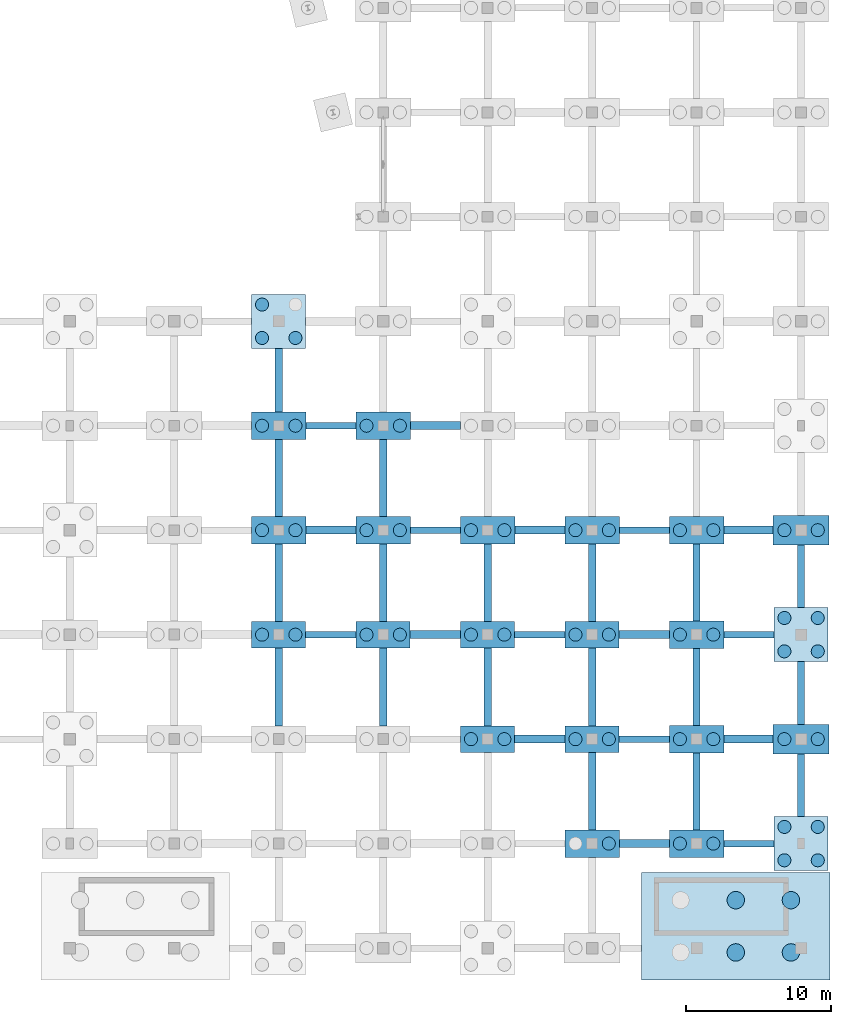
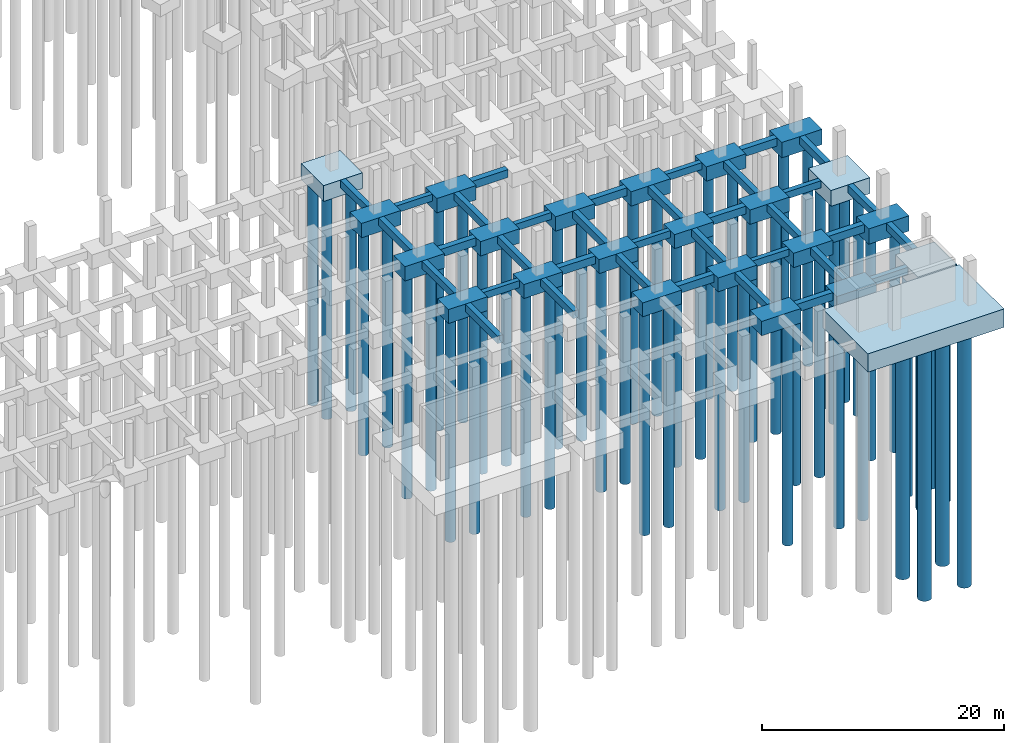
# One storey, part 11 of 36: 58 footings, 52 piles.
"""IFC4 building model written with IfcOpenShell, lengths in metres."""

from ifc_helpers import new_model, si_unit, direction, frame, origin, origin_2d, place, context, subcontext, project, spatial, rectangle, circle, extrude, material, material_profile, profile_set, type_object, element, save


model = new_model("IFC4")

# Units and contexts
model_context = context("Model", 3, precision=1e-05, world=origin(), true_north=direction((0.0, 1.0)))
body_context = subcontext(model_context, "Body", "Model", "MODEL_VIEW")
ifc_project = project(units=[si_unit("LENGTHUNIT", "METRE"), si_unit("AREAUNIT", "SQUARE_METRE"), si_unit("VOLUMEUNIT", "CUBIC_METRE"), si_unit("PLANEANGLEUNIT", "RADIAN"), si_unit("MASSUNIT", "GRAM", prefix="KILO")], contexts=[model_context])

# Site, building, storey
site_placement = place(None, origin())
site = spatial("IfcSite", under=ifc_project, at=site_placement, CompositionType="ELEMENT")
building_placement = place(site_placement, origin())
building = spatial("IfcBuilding", under=site, at=building_placement, Name="Kalmorath City Hall", CompositionType="ELEMENT")
storey_placement = place(building_placement, frame((0.0, 0.0, -4.5)))
storey = spatial("IfcBuildingStorey", under=building, at=storey_placement, Name="B1", CompositionType="ELEMENT", Elevation=-4.5)

# Piles
ifc_material_1 = material(Name="Concrete C40/50", Category="concrete")
ifc_material_profile_1 = material_profile(ifc_material_1, circle(Radius=0.60009765625, at=origin_2d()), Name="PILE-D1200")
ifc_profile_set_1 = profile_set([ifc_material_profile_1], Name="Concrete C40/50")
pile_type_1 = type_object("IfcPileType", Name="Bored concrete pile D1200", PredefinedType="BORED", material=ifc_profile_set_1)
for number, where, z_axis, x_axis, name in (
    (1, (161.10009765625, -0.300048828125, -1.75), (0.0, 0.0, -1.0), (1.0, 0.0, 0.0), "Core mat bored pile PL-1200 FTG-CMAT-C7.2"),
    (2, (164.89990234375, -0.300048828125, -1.75), (0.0, 0.0, -1.0), (1.0, 0.0, 0.0), "Core mat bored pile PL-1200 FTG-CMAT-C7.3"),
    (3, (161.10009765625, 3.300048828125, -1.75), (0.0, 0.0, -1.0), (1.0, 0.0, 0.0), "Core mat bored pile PL-1200 FTG-CMAT-C7.5"),
    (4, (164.89990234375, 3.300048828125, -1.75), (0.0, 0.0, -1.0), (1.0, 0.0, 0.0), "Core mat bored pile PL-1200 FTG-CMAT-C7.6"),
):
    element("IfcPile", number, at=place(storey_placement, frame(where, z_axis=z_axis, x_axis=x_axis)), inside=storey, type_object=pile_type_1, Name=name, PredefinedType="BORED", context=body_context, shape_type="SweptSolid", body=[
        extrude(circle(Radius=0.60009765625, at=origin_2d()), origin(), (0.0, 0.0, 1.0), 26.25),
    ])
ifc_material_2 = material(Name="Concrete C40/50", Category="concrete")
ifc_material_profile_2 = material_profile(ifc_material_2, circle(Radius=0.449951171875, at=origin_2d()), Name="PILE-D900")
ifc_profile_set_2 = profile_set([ifc_material_profile_2], Name="Concrete C40/50")
pile_type_2 = type_object("IfcPileType", Name="Bored concrete pile D900", PredefinedType="BORED", material=ifc_profile_set_2)
for number, where, z_axis, x_axis, name in (
    (5, (128.449951171875, 21.60009765625, -1.300048828125), (0.0, 0.0, -1.0), (1.0, 0.0, 0.0), "Bored pile PL-900 19.4.1"),
    (6, (130.75, 21.60009765625, -1.300048828125), (0.0, 0.0, -1.0), (1.0, 0.0, 0.0), "Bored pile PL-900 19.4.2"),
):
    element("IfcPile", number, at=place(storey_placement, frame(where, z_axis=z_axis, x_axis=x_axis)), inside=storey, type_object=pile_type_2, Name=name, PredefinedType="BORED", context=body_context, shape_type="SweptSolid", body=[
        extrude(circle(Radius=0.449951171875, at=origin_2d()), origin(), (0.0, 0.0, 1.0), 22.699951171875),
    ])
for number, where, z_axis, x_axis, name in (
    (7, (128.449951171875, 28.800048828125, -1.35009765625), (0.0, 0.0, -1.0), (1.0, 0.0, 0.0), "Bored pile PL-900 19.5.1"),
    (8, (130.75, 28.800048828125, -1.35009765625), (0.0, 0.0, -1.0), (1.0, 0.0, 0.0), "Bored pile PL-900 19.5.2"),
    (9, (128.449951171875, 36.0, -1.35009765625), (0.0, 0.0, -1.0), (1.0, 0.0, 0.0), "Bored pile PL-900 19.6.1"),
    (10, (130.75, 36.0, -1.35009765625), (0.0, 0.0, -1.0), (1.0, 0.0, 0.0), "Bored pile PL-900 19.6.2"),
):
    element("IfcPile", number, at=place(storey_placement, frame(where, z_axis=z_axis, x_axis=x_axis)), inside=storey, type_object=pile_type_2, Name=name, PredefinedType="BORED", context=body_context, shape_type="SweptSolid", body=[
        extrude(circle(Radius=0.449951171875, at=origin_2d()), origin(), (0.0, 0.0, 1.0), 22.64990234375),
    ])
for number, where, z_axis, x_axis, name in (
    (11, (128.449951171875, 42.050048828125, -1.5), (0.0, 0.0, -1.0), (1.0, 0.0, 0.0), "Bored pile PL-900 19.7.1"),
    (12, (130.75, 42.050048828125, -1.5), (0.0, 0.0, -1.0), (1.0, 0.0, 0.0), "Bored pile PL-900 19.7.2"),
    (13, (128.449951171875, 44.35009765625, -1.5), (0.0, 0.0, -1.0), (1.0, 0.0, 0.0), "Bored pile PL-900 19.7.3"),
):
    element("IfcPile", number, at=place(storey_placement, frame(where, z_axis=z_axis, x_axis=x_axis)), inside=storey, type_object=pile_type_2, Name=name, PredefinedType="BORED", context=body_context, shape_type="SweptSolid", body=[
        extrude(circle(Radius=0.449951171875, at=origin_2d()), origin(), (0.0, 0.0, 1.0), 22.5),
    ])
for number, where, z_axis, x_axis, name in (
    (14, (135.64990234375, 21.60009765625, -1.300048828125), (0.0, 0.0, -1.0), (1.0, 0.0, 0.0), "Bored pile PL-900 20.4.1"),
    (15, (137.949951171875, 21.60009765625, -1.300048828125), (0.0, 0.0, -1.0), (1.0, 0.0, 0.0), "Bored pile PL-900 20.4.2"),
):
    element("IfcPile", number, at=place(storey_placement, frame(where, z_axis=z_axis, x_axis=x_axis)), inside=storey, type_object=pile_type_2, Name=name, PredefinedType="BORED", context=body_context, shape_type="SweptSolid", body=[
        extrude(circle(Radius=0.449951171875, at=origin_2d()), origin(), (0.0, 0.0, 1.0), 22.699951171875),
    ])
for number, where, z_axis, x_axis, name in (
    (16, (135.64990234375, 28.800048828125, -1.35009765625), (0.0, 0.0, -1.0), (1.0, 0.0, 0.0), "Bored pile PL-900 20.5.1"),
    (17, (137.949951171875, 28.800048828125, -1.35009765625), (0.0, 0.0, -1.0), (1.0, 0.0, 0.0), "Bored pile PL-900 20.5.2"),
    (18, (135.64990234375, 36.0, -1.35009765625), (0.0, 0.0, -1.0), (1.0, 0.0, 0.0), "Bored pile PL-900 20.6.1"),
    (19, (137.949951171875, 36.0, -1.35009765625), (0.0, 0.0, -1.0), (1.0, 0.0, 0.0), "Bored pile PL-900 20.6.2"),
):
    element("IfcPile", number, at=place(storey_placement, frame(where, z_axis=z_axis, x_axis=x_axis)), inside=storey, type_object=pile_type_2, Name=name, PredefinedType="BORED", context=body_context, shape_type="SweptSolid", body=[
        extrude(circle(Radius=0.449951171875, at=origin_2d()), origin(), (0.0, 0.0, 1.0), 22.64990234375),
    ])
for number, where, z_axis, x_axis, name in (
    (20, (142.85009765625, 14.39990234375, -1.300048828125), (0.0, 0.0, -1.0), (1.0, 0.0, 0.0), "Bored pile PL-900 21.3.1"),
    (21, (145.14990234375, 14.39990234375, -1.300048828125), (0.0, 0.0, -1.0), (1.0, 0.0, 0.0), "Bored pile PL-900 21.3.2"),
    (22, (142.85009765625, 21.60009765625, -1.300048828125), (0.0, 0.0, -1.0), (1.0, 0.0, 0.0), "Bored pile PL-900 21.4.1"),
    (23, (145.14990234375, 21.60009765625, -1.300048828125), (0.0, 0.0, -1.0), (1.0, 0.0, 0.0), "Bored pile PL-900 21.4.2"),
):
    element("IfcPile", number, at=place(storey_placement, frame(where, z_axis=z_axis, x_axis=x_axis)), inside=storey, type_object=pile_type_2, Name=name, PredefinedType="BORED", context=body_context, shape_type="SweptSolid", body=[
        extrude(circle(Radius=0.449951171875, at=origin_2d()), origin(), (0.0, 0.0, 1.0), 22.699951171875),
    ])
for number, where, z_axis, x_axis, name in (
    (24, (142.85009765625, 28.800048828125, -1.35009765625), (0.0, 0.0, -1.0), (1.0, 0.0, 0.0), "Bored pile PL-900 21.5.1"),
    (25, (145.14990234375, 28.800048828125, -1.35009765625), (0.0, 0.0, -1.0), (1.0, 0.0, 0.0), "Bored pile PL-900 21.5.2"),
    (26, (152.35009765625, 7.199951171875, -1.35009765625), (0.0, 0.0, -1.0), (1.0, 0.0, 0.0), "Bored pile PL-900 22.2.2"),
):
    element("IfcPile", number, at=place(storey_placement, frame(where, z_axis=z_axis, x_axis=x_axis)), inside=storey, type_object=pile_type_2, Name=name, PredefinedType="BORED", context=body_context, shape_type="SweptSolid", body=[
        extrude(circle(Radius=0.449951171875, at=origin_2d()), origin(), (0.0, 0.0, 1.0), 22.64990234375),
    ])
for number, where, z_axis, x_axis, name in (
    (27, (150.050048828125, 14.39990234375, -1.300048828125), (0.0, 0.0, -1.0), (1.0, 0.0, 0.0), "Bored pile PL-900 22.3.1"),
    (28, (152.35009765625, 14.39990234375, -1.300048828125), (0.0, 0.0, -1.0), (1.0, 0.0, 0.0), "Bored pile PL-900 22.3.2"),
    (29, (150.050048828125, 21.60009765625, -1.300048828125), (0.0, 0.0, -1.0), (1.0, 0.0, 0.0), "Bored pile PL-900 22.4.1"),
    (30, (152.35009765625, 21.60009765625, -1.300048828125), (0.0, 0.0, -1.0), (1.0, 0.0, 0.0), "Bored pile PL-900 22.4.2"),
):
    element("IfcPile", number, at=place(storey_placement, frame(where, z_axis=z_axis, x_axis=x_axis)), inside=storey, type_object=pile_type_2, Name=name, PredefinedType="BORED", context=body_context, shape_type="SweptSolid", body=[
        extrude(circle(Radius=0.449951171875, at=origin_2d()), origin(), (0.0, 0.0, 1.0), 22.699951171875),
    ])
for number, where, z_axis, x_axis, name in (
    (31, (150.050048828125, 28.800048828125, -1.35009765625), (0.0, 0.0, -1.0), (1.0, 0.0, 0.0), "Bored pile PL-900 22.5.1"),
    (32, (152.35009765625, 28.800048828125, -1.35009765625), (0.0, 0.0, -1.0), (1.0, 0.0, 0.0), "Bored pile PL-900 22.5.2"),
    (33, (157.25, 7.199951171875, -1.35009765625), (0.0, 0.0, -1.0), (1.0, 0.0, 0.0), "Bored pile PL-900 23.2.1"),
    (34, (159.550048828125, 7.199951171875, -1.35009765625), (0.0, 0.0, -1.0), (1.0, 0.0, 0.0), "Bored pile PL-900 23.2.2"),
    (35, (157.25, 14.39990234375, -1.35009765625), (0.0, 0.0, -1.0), (1.0, 0.0, 0.0), "Bored pile PL-900 23.3.1"),
    (36, (159.550048828125, 14.39990234375, -1.35009765625), (0.0, 0.0, -1.0), (1.0, 0.0, 0.0), "Bored pile PL-900 23.3.2"),
    (37, (157.25, 21.60009765625, -1.35009765625), (0.0, 0.0, -1.0), (1.0, 0.0, 0.0), "Bored pile PL-900 23.4.1"),
    (38, (159.550048828125, 21.60009765625, -1.35009765625), (0.0, 0.0, -1.0), (1.0, 0.0, 0.0), "Bored pile PL-900 23.4.2"),
    (39, (157.25, 28.800048828125, -1.35009765625), (0.0, 0.0, -1.0), (1.0, 0.0, 0.0), "Bored pile PL-900 23.5.1"),
    (40, (159.550048828125, 28.800048828125, -1.35009765625), (0.0, 0.0, -1.0), (1.0, 0.0, 0.0), "Bored pile PL-900 23.5.2"),
):
    element("IfcPile", number, at=place(storey_placement, frame(where, z_axis=z_axis, x_axis=x_axis)), inside=storey, type_object=pile_type_2, Name=name, PredefinedType="BORED", context=body_context, shape_type="SweptSolid", body=[
        extrude(circle(Radius=0.449951171875, at=origin_2d()), origin(), (0.0, 0.0, 1.0), 22.64990234375),
    ])
for number, where, z_axis, x_axis, name in (
    (41, (164.449951171875, 6.050048828125, -1.5), (0.0, 0.0, -1.0), (1.0, 0.0, 0.0), "Bored pile PL-900 24.2.1"),
    (42, (166.75, 6.050048828125, -1.5), (0.0, 0.0, -1.0), (1.0, 0.0, 0.0), "Bored pile PL-900 24.2.2"),
    (43, (164.449951171875, 8.35009765625, -1.5), (0.0, 0.0, -1.0), (1.0, 0.0, 0.0), "Bored pile PL-900 24.2.3"),
    (44, (166.75, 8.35009765625, -1.5), (0.0, 0.0, -1.0), (1.0, 0.0, 0.0), "Bored pile PL-900 24.2.4"),
):
    element("IfcPile", number, at=place(storey_placement, frame(where, z_axis=z_axis, x_axis=x_axis)), inside=storey, type_object=pile_type_2, Name=name, PredefinedType="BORED", context=body_context, shape_type="SweptSolid", body=[
        extrude(circle(Radius=0.449951171875, at=origin_2d()), origin(), (0.0, 0.0, 1.0), 22.5),
    ])
for number, where, z_axis, x_axis, name in (
    (45, (164.449951171875, 14.39990234375, -1.449951171875), (0.0, 0.0, -1.0), (1.0, 0.0, 0.0), "Bored pile PL-900 24.3.1"),
    (46, (166.75, 14.39990234375, -1.449951171875), (0.0, 0.0, -1.0), (1.0, 0.0, 0.0), "Bored pile PL-900 24.3.2"),
):
    element("IfcPile", number, at=place(storey_placement, frame(where, z_axis=z_axis, x_axis=x_axis)), inside=storey, type_object=pile_type_2, Name=name, PredefinedType="BORED", context=body_context, shape_type="SweptSolid", body=[
        extrude(circle(Radius=0.449951171875, at=origin_2d()), origin(), (0.0, 0.0, 1.0), 22.550048828125),
    ])
for number, where, z_axis, x_axis, name in (
    (47, (164.449951171875, 20.449951171875, -1.5), (0.0, 0.0, -1.0), (1.0, 0.0, 0.0), "Bored pile PL-900 24.4.1"),
    (48, (166.75, 20.449951171875, -1.5), (0.0, 0.0, -1.0), (1.0, 0.0, 0.0), "Bored pile PL-900 24.4.2"),
    (49, (164.449951171875, 22.75, -1.5), (0.0, 0.0, -1.0), (1.0, 0.0, 0.0), "Bored pile PL-900 24.4.3"),
    (50, (166.75, 22.75, -1.5), (0.0, 0.0, -1.0), (1.0, 0.0, 0.0), "Bored pile PL-900 24.4.4"),
):
    element("IfcPile", number, at=place(storey_placement, frame(where, z_axis=z_axis, x_axis=x_axis)), inside=storey, type_object=pile_type_2, Name=name, PredefinedType="BORED", context=body_context, shape_type="SweptSolid", body=[
        extrude(circle(Radius=0.449951171875, at=origin_2d()), origin(), (0.0, 0.0, 1.0), 22.5),
    ])
for number, where, z_axis, x_axis, name in (
    (51, (164.449951171875, 28.800048828125, -1.449951171875), (0.0, 0.0, -1.0), (1.0, 0.0, 0.0), "Bored pile PL-900 24.5.1"),
    (52, (166.75, 28.800048828125, -1.449951171875), (0.0, 0.0, -1.0), (1.0, 0.0, 0.0), "Bored pile PL-900 24.5.2"),
):
    element("IfcPile", number, at=place(storey_placement, frame(where, z_axis=z_axis, x_axis=x_axis)), inside=storey, type_object=pile_type_2, Name=name, PredefinedType="BORED", context=body_context, shape_type="SweptSolid", body=[
        extrude(circle(Radius=0.449951171875, at=origin_2d()), origin(), (0.0, 0.0, 1.0), 22.550048828125),
    ])

# Footings
ifc_material_3 = material(Name="Concrete C40/50", Category="concrete")
ifc_material_profile_3 = material_profile(ifc_material_3, rectangle(XDim=0.449951171875, YDim=0.699951171875, at=origin_2d()), Name="RC-BM-450X700")
ifc_profile_set_3 = profile_set([ifc_material_profile_3], Name="Concrete C40/50")
footing_type_1 = type_object("IfcFootingType", Name="Concrete ground tie beam 450x700", PredefinedType="FOOTING_BEAM", material=ifc_profile_set_3)
footing_1_placement = place(storey_placement, frame((131.4599609375, 21.60009765625, -0.35009765625), z_axis=(1.0, 0.0, 0.0), x_axis=(0.0, 1.0, 0.0)))
element("IfcFooting", 53, at=footing_1_placement, inside=storey, type_object=footing_type_1, Name="Ground tie beam GB4 X19-4", PredefinedType="FOOTING_BEAM", context=body_context, shape_type="SweptSolid", body=[
    extrude(rectangle(XDim=0.449951171875, YDim=0.699951171875, at=origin_2d()), origin(), (0.0, 0.0, 1.0), 3.47998046875),
])
footing_2_placement = place(storey_placement, frame((131.47998046875, 36.0, -0.35009765625), z_axis=(1.0, 0.0, 0.0), x_axis=(0.0, 1.0, 0.0)))
element("IfcFooting", 54, at=footing_2_placement, inside=storey, type_object=footing_type_1, Name="Ground tie beam GB4 X19-6", PredefinedType="FOOTING_BEAM", context=body_context, shape_type="SweptSolid", body=[
    extrude(rectangle(XDim=0.449951171875, YDim=0.699951171875, at=origin_2d()), origin(), (0.0, 0.0, 1.0), 3.43994140625),
])
footing_3_placement = place(storey_placement, frame((138.679931640625, 28.800048828125, -0.35009765625), z_axis=(1.0, 0.0, 0.0), x_axis=(0.0, 1.0, 0.0)))
element("IfcFooting", 55, at=footing_3_placement, inside=storey, type_object=footing_type_1, Name="Ground tie beam GB4 X20-5", PredefinedType="FOOTING_BEAM", context=body_context, shape_type="SweptSolid", body=[
    extrude(rectangle(XDim=0.449951171875, YDim=0.699951171875, at=origin_2d()), origin(), (0.0, 0.0, 1.0), 3.440185546875),
])
footing_4_placement = place(storey_placement, frame((145.860107421875, 21.60009765625, -0.35009765625), z_axis=(1.0, 0.0, 0.0), x_axis=(0.0, 1.0, 0.0)))
element("IfcFooting", 56, at=footing_4_placement, inside=storey, type_object=footing_type_1, Name="Ground tie beam GB4 X21-4", PredefinedType="FOOTING_BEAM", context=body_context, shape_type="SweptSolid", body=[
    extrude(rectangle(XDim=0.449951171875, YDim=0.699951171875, at=origin_2d()), origin(), (0.0, 0.0, 1.0), 3.47998046875),
])
footing_5_placement = place(storey_placement, frame((153.06005859375, 14.39990234375, -0.35009765625), z_axis=(1.0, 0.0, 0.0), x_axis=(0.0, 1.0, 0.0)))
element("IfcFooting", 57, at=footing_5_placement, inside=storey, type_object=footing_type_1, Name="Ground tie beam GB4 X22-3", PredefinedType="FOOTING_BEAM", context=body_context, shape_type="SweptSolid", body=[
    extrude(rectangle(XDim=0.449951171875, YDim=0.699951171875, at=origin_2d()), origin(), (0.0, 0.0, 1.0), 3.4599609375),
])
footing_6_placement = place(storey_placement, frame((153.080078125, 28.800048828125, -0.35009765625), z_axis=(1.0, 0.0, 0.0), x_axis=(0.0, 1.0, 0.0)))
element("IfcFooting", 58, at=footing_6_placement, inside=storey, type_object=footing_type_1, Name="Ground tie beam GB4 X22-5", PredefinedType="FOOTING_BEAM", context=body_context, shape_type="SweptSolid", body=[
    extrude(rectangle(XDim=0.449951171875, YDim=0.699951171875, at=origin_2d()), origin(), (0.0, 0.0, 1.0), 3.43994140625),
])
for number, where, z_axis, x_axis, name in (
    (59, (160.280029296875, 7.199951171875, -0.35009765625), (1.0, 0.0, 0.0), (0.0, 1.0, 0.0), "Ground tie beam GB4 X23-2"),
    (60, (160.280029296875, 21.60009765625, -0.35009765625), (1.0, 0.0, 0.0), (0.0, 1.0, 0.0), "Ground tie beam GB4 X23-4"),
):
    element("IfcFooting", number, at=place(storey_placement, frame(where, z_axis=z_axis, x_axis=x_axis)), inside=storey, type_object=footing_type_1, Name=name, PredefinedType="FOOTING_BEAM", context=body_context, shape_type="SweptSolid", body=[
        extrude(rectangle(XDim=0.449951171875, YDim=0.699951171875, at=origin_2d()), origin(), (0.0, 0.0, 1.0), 3.4599609375),
    ])
ifc_material_4 = material(Name="Concrete C40/50", Category="concrete")
ifc_material_profile_4 = material_profile(ifc_material_4, rectangle(XDim=0.5, YDim=0.75, at=origin_2d()), Name="RC-BM-500X750")
ifc_profile_set_4 = profile_set([ifc_material_profile_4], Name="Concrete C40/50")
footing_type_2 = type_object("IfcFootingType", Name="Concrete ground tie beam 500x750", PredefinedType="FOOTING_BEAM", material=ifc_profile_set_4)
footing_7_placement = place(storey_placement, frame((129.60009765625, 15.31005859375, -0.375), z_axis=(0.0, 1.0, 0.0), x_axis=(-1.0, 0.0, 0.0)))
element("IfcFooting", 61, at=footing_7_placement, inside=storey, type_object=footing_type_2, Name="Ground tie beam GB3 Y19-3", PredefinedType="FOOTING_BEAM", context=body_context, shape_type="SweptSolid", body=[
    extrude(rectangle(XDim=0.5, YDim=0.75, at=origin_2d()), origin(), (0.0, 0.0, 1.0), 5.3798828125),
])
footing_8_placement = place(storey_placement, frame((129.60009765625, 22.510009765625, -0.375), z_axis=(0.0, 1.0, 0.0), x_axis=(-1.0, 0.0, 0.0)))
element("IfcFooting", 62, at=footing_8_placement, inside=storey, type_object=footing_type_2, Name="Ground tie beam GB3 Y19-4", PredefinedType="FOOTING_BEAM", context=body_context, shape_type="SweptSolid", body=[
    extrude(rectangle(XDim=0.5, YDim=0.75, at=origin_2d()), origin(), (0.0, 0.0, 1.0), 5.340087890625),
])
footing_9_placement = place(storey_placement, frame((129.60009765625, 29.75, -0.375), z_axis=(0.0, 1.0, 0.0), x_axis=(-1.0, 0.0, 0.0)))
element("IfcFooting", 63, at=footing_9_placement, inside=storey, type_object=footing_type_2, Name="Ground tie beam GB3 Y19-5", PredefinedType="FOOTING_BEAM", context=body_context, shape_type="SweptSolid", body=[
    extrude(rectangle(XDim=0.5, YDim=0.75, at=origin_2d()), origin(), (0.0, 0.0, 1.0), 5.300048828125),
])
footing_10_placement = place(storey_placement, frame((129.60009765625, 36.949951171875, -0.375), z_axis=(0.0, 1.0, 0.0), x_axis=(-1.0, 0.0, 0.0)))
element("IfcFooting", 64, at=footing_10_placement, inside=storey, type_object=footing_type_2, Name="Ground tie beam GB3 Y19-6", PredefinedType="FOOTING_BEAM", context=body_context, shape_type="SweptSolid", body=[
    extrude(rectangle(XDim=0.5, YDim=0.75, at=origin_2d()), origin(), (0.0, 0.0, 1.0), 4.39013671875),
])
footing_11_placement = place(storey_placement, frame((136.800048828125, 15.31005859375, -0.375), z_axis=(0.0, 1.0, 0.0), x_axis=(-1.0, 0.0, 0.0)))
element("IfcFooting", 65, at=footing_11_placement, inside=storey, type_object=footing_type_2, Name="Ground tie beam GB3 Y20-3", PredefinedType="FOOTING_BEAM", context=body_context, shape_type="SweptSolid", body=[
    extrude(rectangle(XDim=0.5, YDim=0.75, at=origin_2d()), origin(), (0.0, 0.0, 1.0), 5.3798828125),
])
footing_12_placement = place(storey_placement, frame((136.800048828125, 22.510009765625, -0.375), z_axis=(0.0, 1.0, 0.0), x_axis=(-1.0, 0.0, 0.0)))
element("IfcFooting", 66, at=footing_12_placement, inside=storey, type_object=footing_type_2, Name="Ground tie beam GB3 Y20-4", PredefinedType="FOOTING_BEAM", context=body_context, shape_type="SweptSolid", body=[
    extrude(rectangle(XDim=0.5, YDim=0.75, at=origin_2d()), origin(), (0.0, 0.0, 1.0), 5.340087890625),
])
footing_13_placement = place(storey_placement, frame((136.800048828125, 29.75, -0.375), z_axis=(0.0, 1.0, 0.0), x_axis=(-1.0, 0.0, 0.0)))
element("IfcFooting", 67, at=footing_13_placement, inside=storey, type_object=footing_type_2, Name="Ground tie beam GB3 Y20-5", PredefinedType="FOOTING_BEAM", context=body_context, shape_type="SweptSolid", body=[
    extrude(rectangle(XDim=0.5, YDim=0.75, at=origin_2d()), origin(), (0.0, 0.0, 1.0), 5.300048828125),
])
footing_14_placement = place(storey_placement, frame((144.0, 15.31005859375, -0.375), z_axis=(0.0, 1.0, 0.0), x_axis=(-1.0, 0.0, 0.0)))
element("IfcFooting", 68, at=footing_14_placement, inside=storey, type_object=footing_type_2, Name="Ground tie beam GB3 Y21-3", PredefinedType="FOOTING_BEAM", context=body_context, shape_type="SweptSolid", body=[
    extrude(rectangle(XDim=0.5, YDim=0.75, at=origin_2d()), origin(), (0.0, 0.0, 1.0), 5.3798828125),
])
for number, where, z_axis, x_axis, name in (
    (69, (144.0, 22.510009765625, -0.375), (0.0, 1.0, 0.0), (-1.0, 0.0, 0.0), "Ground tie beam GB3 Y21-4"),
    (70, (151.199951171875, 8.14990234375, -0.375), (0.0, 1.0, 0.0), (-1.0, 0.0, 0.0), "Ground tie beam GB3 Y22-2"),
):
    element("IfcFooting", number, at=place(storey_placement, frame(where, z_axis=z_axis, x_axis=x_axis)), inside=storey, type_object=footing_type_2, Name=name, PredefinedType="FOOTING_BEAM", context=body_context, shape_type="SweptSolid", body=[
        extrude(rectangle(XDim=0.5, YDim=0.75, at=origin_2d()), origin(), (0.0, 0.0, 1.0), 5.340087890625),
    ])
footing_15_placement = place(storey_placement, frame((151.199951171875, 15.31005859375, -0.375), z_axis=(0.0, 1.0, 0.0), x_axis=(-1.0, 0.0, 0.0)))
element("IfcFooting", 71, at=footing_15_placement, inside=storey, type_object=footing_type_2, Name="Ground tie beam GB3 Y22-3", PredefinedType="FOOTING_BEAM", context=body_context, shape_type="SweptSolid", body=[
    extrude(rectangle(XDim=0.5, YDim=0.75, at=origin_2d()), origin(), (0.0, 0.0, 1.0), 5.3798828125),
])
footing_16_placement = place(storey_placement, frame((151.199951171875, 22.510009765625, -0.375), z_axis=(0.0, 1.0, 0.0), x_axis=(-1.0, 0.0, 0.0)))
element("IfcFooting", 72, at=footing_16_placement, inside=storey, type_object=footing_type_2, Name="Ground tie beam GB3 Y22-4", PredefinedType="FOOTING_BEAM", context=body_context, shape_type="SweptSolid", body=[
    extrude(rectangle(XDim=0.5, YDim=0.75, at=origin_2d()), origin(), (0.0, 0.0, 1.0), 5.340087890625),
])
footing_17_placement = place(storey_placement, frame((158.39990234375, 8.14990234375, -0.375), z_axis=(0.0, 1.0, 0.0), x_axis=(-1.0, 0.0, 0.0)))
element("IfcFooting", 73, at=footing_17_placement, inside=storey, type_object=footing_type_2, Name="Ground tie beam GB3 Y23-2", PredefinedType="FOOTING_BEAM", context=body_context, shape_type="SweptSolid", body=[
    extrude(rectangle(XDim=0.5, YDim=0.75, at=origin_2d()), origin(), (0.0, 0.0, 1.0), 5.300048828125),
])
footing_18_placement = place(storey_placement, frame((158.39990234375, 15.35009765625, -0.375), z_axis=(0.0, 1.0, 0.0), x_axis=(-1.0, 0.0, 0.0)))
element("IfcFooting", 74, at=footing_18_placement, inside=storey, type_object=footing_type_2, Name="Ground tie beam GB3 Y23-3", PredefinedType="FOOTING_BEAM", context=body_context, shape_type="SweptSolid", body=[
    extrude(rectangle(XDim=0.5, YDim=0.75, at=origin_2d()), origin(), (0.0, 0.0, 1.0), 5.2998046875),
])
footing_19_placement = place(storey_placement, frame((158.39990234375, 22.550048828125, -0.375), z_axis=(0.0, 1.0, 0.0), x_axis=(-1.0, 0.0, 0.0)))
element("IfcFooting", 75, at=footing_19_placement, inside=storey, type_object=footing_type_2, Name="Ground tie beam GB3 Y23-4", PredefinedType="FOOTING_BEAM", context=body_context, shape_type="SweptSolid", body=[
    extrude(rectangle(XDim=0.5, YDim=0.75, at=origin_2d()), origin(), (0.0, 0.0, 1.0), 5.300048828125),
])
for number, where, z_axis, x_axis, name in (
    (76, (165.60009765625, 9.06005859375, -0.375), (0.0, 1.0, 0.0), (-1.0, 0.0, 0.0), "Ground tie beam GB3 Y24-2"),
    (77, (165.60009765625, 15.425048828125, -0.375), (0.0, 1.0, 0.0), (-1.0, 0.0, 0.0), "Ground tie beam GB3 Y24-3"),
    (78, (165.60009765625, 23.4599609375, -0.375), (0.0, 1.0, 0.0), (-1.0, 0.0, 0.0), "Ground tie beam GB3 Y24-4"),
):
    element("IfcFooting", number, at=place(storey_placement, frame(where, z_axis=z_axis, x_axis=x_axis)), inside=storey, type_object=footing_type_2, Name=name, PredefinedType="FOOTING_BEAM", context=body_context, shape_type="SweptSolid", body=[
        extrude(rectangle(XDim=0.5, YDim=0.75, at=origin_2d()), origin(), (0.0, 0.0, 1.0), 4.31494140625),
    ])
ifc_material_5 = material(Name="Concrete C40/50", Category="concrete")
ifc_material_profile_5 = material_profile(ifc_material_5, rectangle(XDim=0.550048828125, YDim=0.800048828125, at=origin_2d()), Name="RC-BM-550X800")
ifc_profile_set_5 = profile_set([ifc_material_profile_5], Name="Concrete C40/50")
footing_type_3 = type_object("IfcFootingType", Name="Concrete ground tie beam 550x800", PredefinedType="FOOTING_BEAM", material=ifc_profile_set_5)
footing_20_placement = place(storey_placement, frame((131.47998046875, 28.800048828125, -0.39990234375), z_axis=(1.0, 0.0, 0.0), x_axis=(0.0, 1.0, 0.0)))
element("IfcFooting", 79, at=footing_20_placement, inside=storey, type_object=footing_type_3, Name="Ground tie beam GB2 X19-5", PredefinedType="FOOTING_BEAM", context=body_context, shape_type="SweptSolid", body=[
    extrude(rectangle(XDim=0.550048828125, YDim=0.800048828125, at=origin_2d()), origin(), (0.0, 0.0, 1.0), 3.43994140625),
])
footing_21_placement = place(storey_placement, frame((138.659912109375, 21.60009765625, -0.39990234375), z_axis=(1.0, 0.0, 0.0), x_axis=(0.0, 1.0, 0.0)))
element("IfcFooting", 80, at=footing_21_placement, inside=storey, type_object=footing_type_3, Name="Ground tie beam GB2 X20-4", PredefinedType="FOOTING_BEAM", context=body_context, shape_type="SweptSolid", body=[
    extrude(rectangle(XDim=0.550048828125, YDim=0.800048828125, at=origin_2d()), origin(), (0.0, 0.0, 1.0), 3.47998046875),
])
footing_22_placement = place(storey_placement, frame((138.679931640625, 36.0, -0.39990234375), z_axis=(1.0, 0.0, 0.0), x_axis=(0.0, 1.0, 0.0)))
element("IfcFooting", 81, at=footing_22_placement, inside=storey, type_object=footing_type_3, Name="Ground tie beam GB2 X20-6", PredefinedType="FOOTING_BEAM", context=body_context, shape_type="SweptSolid", body=[
    extrude(rectangle(XDim=0.550048828125, YDim=0.800048828125, at=origin_2d()), origin(), (0.0, 0.0, 1.0), 3.440185546875),
])
footing_23_placement = place(storey_placement, frame((145.860107421875, 14.39990234375, -0.39990234375), z_axis=(1.0, 0.0, 0.0), x_axis=(0.0, 1.0, 0.0)))
element("IfcFooting", 82, at=footing_23_placement, inside=storey, type_object=footing_type_3, Name="Ground tie beam GB2 X21-3", PredefinedType="FOOTING_BEAM", context=body_context, shape_type="SweptSolid", body=[
    extrude(rectangle(XDim=0.550048828125, YDim=0.800048828125, at=origin_2d()), origin(), (0.0, 0.0, 1.0), 3.47998046875),
])
footing_24_placement = place(storey_placement, frame((145.8798828125, 28.800048828125, -0.39990234375), z_axis=(1.0, 0.0, 0.0), x_axis=(0.0, 1.0, 0.0)))
element("IfcFooting", 83, at=footing_24_placement, inside=storey, type_object=footing_type_3, Name="Ground tie beam GB2 X21-5", PredefinedType="FOOTING_BEAM", context=body_context, shape_type="SweptSolid", body=[
    extrude(rectangle(XDim=0.550048828125, YDim=0.800048828125, at=origin_2d()), origin(), (0.0, 0.0, 1.0), 3.440185546875),
])
footing_25_placement = place(storey_placement, frame((153.080078125, 7.199951171875, -0.39990234375), z_axis=(1.0, 0.0, 0.0), x_axis=(0.0, 1.0, 0.0)))
element("IfcFooting", 84, at=footing_25_placement, inside=storey, type_object=footing_type_3, Name="Ground tie beam GB2 X22-2", PredefinedType="FOOTING_BEAM", context=body_context, shape_type="SweptSolid", body=[
    extrude(rectangle(XDim=0.550048828125, YDim=0.800048828125, at=origin_2d()), origin(), (0.0, 0.0, 1.0), 3.43994140625),
])
footing_26_placement = place(storey_placement, frame((153.06005859375, 21.60009765625, -0.39990234375), z_axis=(1.0, 0.0, 0.0), x_axis=(0.0, 1.0, 0.0)))
element("IfcFooting", 85, at=footing_26_placement, inside=storey, type_object=footing_type_3, Name="Ground tie beam GB2 X22-4", PredefinedType="FOOTING_BEAM", context=body_context, shape_type="SweptSolid", body=[
    extrude(rectangle(XDim=0.550048828125, YDim=0.800048828125, at=origin_2d()), origin(), (0.0, 0.0, 1.0), 3.4599609375),
])
for number, where, z_axis, x_axis, name in (
    (86, (160.280029296875, 14.39990234375, -0.39990234375), (1.0, 0.0, 0.0), (0.0, 1.0, 0.0), "Ground tie beam GB2 X23-3"),
    (87, (160.280029296875, 28.800048828125, -0.39990234375), (1.0, 0.0, 0.0), (0.0, 1.0, 0.0), "Ground tie beam GB2 X23-5"),
):
    element("IfcFooting", number, at=place(storey_placement, frame(where, z_axis=z_axis, x_axis=x_axis)), inside=storey, type_object=footing_type_3, Name=name, PredefinedType="FOOTING_BEAM", context=body_context, shape_type="SweptSolid", body=[
        extrude(rectangle(XDim=0.550048828125, YDim=0.800048828125, at=origin_2d()), origin(), (0.0, 0.0, 1.0), 3.39501953125),
    ])
ifc_material_6 = material(Name="Concrete C40/50", Category="concrete")
footing_type_4 = type_object("IfcFootingType", Name="Four-pile concrete cap 3720x3720x1600", PredefinedType="PILE_CAP", material=ifc_material_6)
for number, where, z_axis, x_axis, name in (
    (88, (129.60009765625, 43.199951171875, -1.60009765625), (0.0, 0.0, 1.0), (1.0, 0.0, 0.0), "Footing PC3 (19/7)"),
    (89, (165.60009765625, 7.199951171875, -1.60009765625), (0.0, 0.0, 1.0), (1.0, 0.0, 0.0), "Footing PC3 (24/2)"),
    (90, (165.60009765625, 21.60009765625, -1.60009765625), (0.0, 0.0, 1.0), (1.0, 0.0, 0.0), "Footing PC3 (24/4)"),
):
    element("IfcFooting", number, at=place(storey_placement, frame(where, z_axis=z_axis, x_axis=x_axis)), inside=storey, type_object=footing_type_4, Name=name, PredefinedType="PILE_CAP", context=body_context, shape_type="SweptSolid", body=[
        extrude(rectangle(XDim=3.719970703125, YDim=3.719970703125, at=origin_2d()), origin(), (0.0, 0.0, 1.0), 1.60009765625),
    ])
ifc_material_7 = material(Name="Concrete C40/50", Category="concrete")
footing_type_5 = type_object("IfcFootingType", Name="Reinforced concrete combined core pile cap 13000x7400x1850", PredefinedType="PILE_CAP", material=ifc_material_7)
footing_27_placement = place(storey_placement, frame((161.10009765625, 1.5, -1.85009765625), z_axis=(0.0, 0.0, 1.0), x_axis=(1.0, 0.0, 0.0)))
element("IfcFooting", 91, at=footing_27_placement, inside=storey, type_object=footing_type_5, Name="Combined core pile cap FTG-CMAT-C7", PredefinedType="PILE_CAP", context=body_context, shape_type="SweptSolid", body=[
    extrude(rectangle(XDim=13.0, YDim=7.39990234375, at=origin_2d()), origin(), (0.0, 0.0, 1.0), 1.85009765625),
])
ifc_material_8 = material(Name="Concrete C40/50", Category="concrete")
footing_type_6 = type_object("IfcFootingType", Name="Two-pile concrete cap 3720x1820x1400", PredefinedType="PILE_CAP", material=ifc_material_8)
for number, where, z_axis, x_axis, name in (
    (92, (129.60009765625, 21.60009765625, -1.39990234375), (0.0, 0.0, 1.0), (1.0, 0.0, 0.0), "Footing PC9 (19/4)"),
    (93, (136.800048828125, 21.60009765625, -1.39990234375), (0.0, 0.0, 1.0), (1.0, 0.0, 0.0), "Footing PC9 (20/4)"),
    (94, (144.0, 14.39990234375, -1.39990234375), (0.0, 0.0, 1.0), (1.0, 0.0, 0.0), "Footing PC9 (21/3)"),
    (95, (144.0, 21.60009765625, -1.39990234375), (0.0, 0.0, 1.0), (1.0, 0.0, 0.0), "Footing PC9 (21/4)"),
    (96, (151.199951171875, 14.39990234375, -1.39990234375), (0.0, 0.0, 1.0), (1.0, 0.0, 0.0), "Footing PC9 (22/3)"),
    (97, (151.199951171875, 21.60009765625, -1.39990234375), (0.0, 0.0, 1.0), (1.0, 0.0, 0.0), "Footing PC9 (22/4)"),
):
    element("IfcFooting", number, at=place(storey_placement, frame(where, z_axis=z_axis, x_axis=x_axis)), inside=storey, type_object=footing_type_6, Name=name, PredefinedType="PILE_CAP", context=body_context, shape_type="SweptSolid", body=[
        extrude(rectangle(XDim=3.719970703125, YDim=1.820068359375, at=origin_2d()), origin(), (0.0, 0.0, 1.0), 1.39990234375),
    ])
ifc_material_9 = material(Name="Concrete C40/50", Category="concrete")
footing_type_7 = type_object("IfcFootingType", Name="Two-pile concrete cap 3760x1900x1450", PredefinedType="PILE_CAP", material=ifc_material_9)
for number, where, z_axis, x_axis, name in (
    (98, (129.60009765625, 28.800048828125, -1.4501953125), (0.0, 0.0, 1.0), (1.0, 0.0, 0.0), "Footing PC8 (19/5)"),
    (99, (129.60009765625, 36.0, -1.4501953125), (0.0, 0.0, 1.0), (1.0, 0.0, 0.0), "Footing PC8 (19/6)"),
    (100, (136.800048828125, 28.800048828125, -1.4501953125), (0.0, 0.0, 1.0), (1.0, 0.0, 0.0), "Footing PC8 (20/5)"),
    (101, (136.800048828125, 36.0, -1.4501953125), (0.0, 0.0, 1.0), (1.0, 0.0, 0.0), "Footing PC8 (20/6)"),
    (102, (144.0, 28.800048828125, -1.4501953125), (0.0, 0.0, 1.0), (1.0, 0.0, 0.0), "Footing PC8 (21/5)"),
    (103, (151.199951171875, 7.199951171875, -1.4501953125), (0.0, 0.0, 1.0), (1.0, 0.0, 0.0), "Footing PC8 (22/2)"),
    (104, (151.199951171875, 28.800048828125, -1.4501953125), (0.0, 0.0, 1.0), (1.0, 0.0, 0.0), "Footing PC8 (22/5)"),
    (105, (158.39990234375, 7.199951171875, -1.4501953125), (0.0, 0.0, 1.0), (1.0, 0.0, 0.0), "Footing PC8 (23/2)"),
    (106, (158.39990234375, 14.39990234375, -1.4501953125), (0.0, 0.0, 1.0), (1.0, 0.0, 0.0), "Footing PC8 (23/3)"),
    (107, (158.39990234375, 21.60009765625, -1.4501953125), (0.0, 0.0, 1.0), (1.0, 0.0, 0.0), "Footing PC8 (23/4)"),
    (108, (158.39990234375, 28.800048828125, -1.4501953125), (0.0, 0.0, 1.0), (1.0, 0.0, 0.0), "Footing PC8 (23/5)"),
):
    element("IfcFooting", number, at=place(storey_placement, frame(where, z_axis=z_axis, x_axis=x_axis)), inside=storey, type_object=footing_type_7, Name=name, PredefinedType="PILE_CAP", context=body_context, shape_type="SweptSolid", body=[
        extrude(rectangle(XDim=3.760009765625, YDim=1.89990234375, at=origin_2d()), origin(), (0.0, 0.0, 1.0), 1.449951171875),
    ])
ifc_material_10 = material(Name="Concrete C40/50", Category="concrete")
footing_type_8 = type_object("IfcFootingType", Name="Two-pile concrete cap 3850x2050x1550", PredefinedType="PILE_CAP", material=ifc_material_10)
for number, where, z_axis, x_axis, name in (
    (109, (165.60009765625, 14.39990234375, -1.5498046875), (0.0, 0.0, 1.0), (1.0, 0.0, 0.0), "Footing PC6 (24/3)"),
    (110, (165.60009765625, 28.800048828125, -1.5498046875), (0.0, 0.0, 1.0), (1.0, 0.0, 0.0), "Footing PC6 (24/5)"),
):
    element("IfcFooting", number, at=place(storey_placement, frame(where, z_axis=z_axis, x_axis=x_axis)), inside=storey, type_object=footing_type_8, Name=name, PredefinedType="PILE_CAP", context=body_context, shape_type="SweptSolid", body=[
        extrude(rectangle(XDim=3.85009765625, YDim=2.050048828125, at=origin_2d()), origin(), (0.0, 0.0, 1.0), 1.550048828125),
    ])

save(model, "model.ifc")
